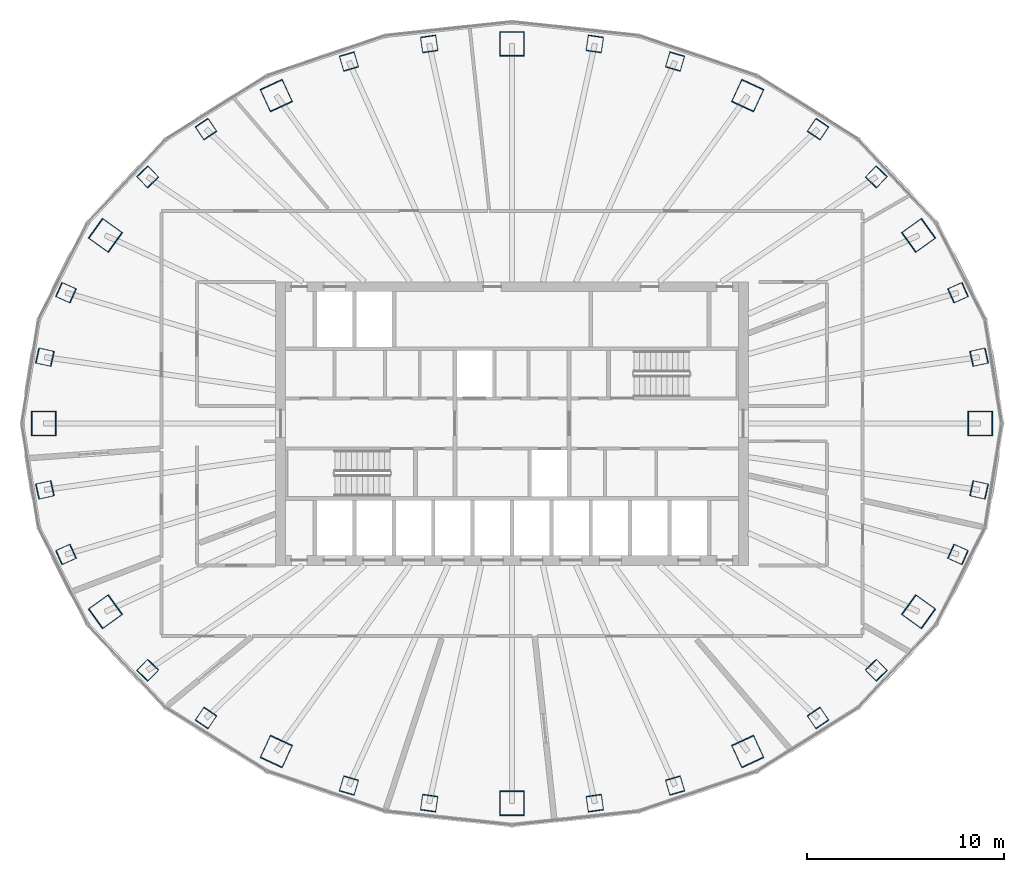
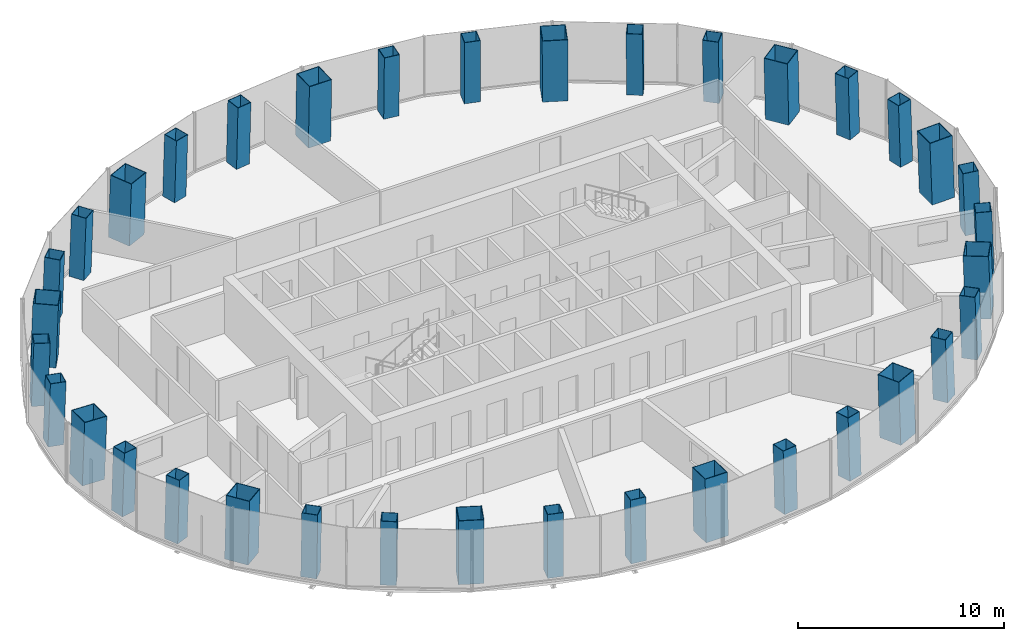
# One storey, part 1 of 12: 36 columns.
"""IFC4 building model written with IfcOpenShell, lengths in metres."""

from ifc_helpers import new_model, si_unit, direction, frame, origin, origin_2d, place, context, subcontext, project, spatial, hollow_rectangle, extrude, material, material_profile, profile_set, type_object, element, save


model = new_model("IFC4")

# Units and contexts
model_context = context("Model", 3, precision=1e-05, world=origin(), true_north=direction((0.0, 1.0)))
body_context = subcontext(model_context, "Body", "Model", "MODEL_VIEW")
ifc_project = project(units=[si_unit("LENGTHUNIT", "METRE"), si_unit("AREAUNIT", "SQUARE_METRE"), si_unit("VOLUMEUNIT", "CUBIC_METRE"), si_unit("PLANEANGLEUNIT", "RADIAN"), si_unit("MASSUNIT", "GRAM", prefix="KILO")], contexts=[model_context])

# Site, building, storey
site_placement = place(None, origin())
site = spatial("IfcSite", under=ifc_project, at=site_placement, CompositionType="ELEMENT")
building_placement = place(site_placement, origin())
building = spatial("IfcBuilding", under=site, at=building_placement, Name="Siaravel Broadcast Tower", CompositionType="ELEMENT")
storey_placement = place(building_placement, frame((0.0, 0.0, 134.10009765625)))
storey = spatial("IfcBuildingStorey", under=building, at=storey_placement, Name="L32", CompositionType="ELEMENT", Elevation=134.10009765625)

# Columns
ifc_material = material(Name="Concrete C60/75", Category="concrete")
ifc_material_profile_1 = material_profile(ifc_material, hollow_rectangle(XDim=1.25, YDim=1.25, WallThickness=0.031982421875, at=origin_2d()))
ifc_profile_set_1 = profile_set([ifc_material_profile_1], Name="Concrete C60/75")
column_type_1 = type_object("IfcColumnType", Name="COL-CFT BOX 1250x1250x32", PredefinedType="COLUMN", material=ifc_profile_set_1)
column_1_placement = place(storey_placement, frame((23.801025390625, 0.0, 0.0), z_axis=(-0.034621265, 0.0, 0.999400504), x_axis=(0.0, -1.0, 0.0)))
element("IfcColumn", 1, at=column_1_placement, inside=storey, type_object=column_type_1, Name="Megacolumn MC01", PredefinedType="COLUMN", context=body_context, shape_type="SweptSolid", body=[
    extrude(hollow_rectangle(XDim=1.25, YDim=1.25, WallThickness=0.031982421875, at=origin_2d()), origin(), (0.0, 0.0, 1.0), 3.7021484375),
])
column_2_placement = place(storey_placement, frame((20.665771484375, 9.564697265625, 0.0), z_axis=(-0.029940667, -0.01417895, 0.999451106), x_axis=(0.583207644, -0.812301344, 0.00594731)))
element("IfcColumn", 2, at=column_2_placement, inside=storey, type_object=column_type_1, Name="Megacolumn MC02", PredefinedType="COLUMN", context=body_context, shape_type="SweptSolid", body=[
    extrude(hollow_rectangle(XDim=1.25, YDim=1.25, WallThickness=0.031982421875, at=origin_2d()), origin(), (0.0, 0.0, 1.0), 3.701904296875),
])
column_3_placement = place(storey_placement, frame((11.980224609375, 16.669677734375, 0.0), z_axis=(-0.017280237, -0.024535299, 0.999549605), x_axis=(0.9080008, -0.418933446, 0.005414251)))
element("IfcColumn", 3, at=column_3_placement, inside=storey, type_object=column_type_1, Name="Megacolumn MC03", PredefinedType="COLUMN", context=body_context, shape_type="SweptSolid", body=[
    extrude(hollow_rectangle(XDim=1.25, YDim=1.25, WallThickness=0.031982421875, at=origin_2d()), origin(), (0.0, 0.0, 1.0), 3.70166015625),
])
column_4_placement = place(storey_placement, frame((0.0, 19.296630859375, 0.0), z_axis=(0.0, -0.028296154, 0.999599584), x_axis=(1.0, 0.0, 0.0)))
element("IfcColumn", 4, at=column_4_placement, inside=storey, type_object=column_type_1, Name="Megacolumn MC04", PredefinedType="COLUMN", context=body_context, shape_type="SweptSolid", body=[
    extrude(hollow_rectangle(XDim=1.25, YDim=1.25, WallThickness=0.031982421875, at=origin_2d()), origin(), (0.0, 0.0, 1.0), 3.701416015625),
])
column_5_placement = place(storey_placement, frame((-11.980224609375, 16.669677734375, 0.0), z_axis=(0.017280237, -0.024535299, 0.999549605), x_axis=(0.9080008, 0.418933446, -0.005414251)))
element("IfcColumn", 5, at=column_5_placement, inside=storey, type_object=column_type_1, Name="Megacolumn MC05", PredefinedType="COLUMN", context=body_context, shape_type="SweptSolid", body=[
    extrude(hollow_rectangle(XDim=1.25, YDim=1.25, WallThickness=0.031982421875, at=origin_2d()), origin(), (0.0, 0.0, 1.0), 3.70166015625),
])
column_6_placement = place(storey_placement, frame((-20.665771484375, 9.564697265625, 0.0), z_axis=(0.029940667, -0.01417895, 0.999451106), x_axis=(0.583207644, 0.812301344, -0.00594731)))
element("IfcColumn", 6, at=column_6_placement, inside=storey, type_object=column_type_1, Name="Megacolumn MC06", PredefinedType="COLUMN", context=body_context, shape_type="SweptSolid", body=[
    extrude(hollow_rectangle(XDim=1.25, YDim=1.25, WallThickness=0.031982421875, at=origin_2d()), origin(), (0.0, 0.0, 1.0), 3.701904296875),
])
column_7_placement = place(storey_placement, frame((-23.801025390625, 0.0, 0.0), z_axis=(0.034621265, 0.0, 0.999400504), x_axis=(0.0, 1.0, 0.0)))
element("IfcColumn", 7, at=column_7_placement, inside=storey, type_object=column_type_1, Name="Megacolumn MC07", PredefinedType="COLUMN", context=body_context, shape_type="SweptSolid", body=[
    extrude(hollow_rectangle(XDim=1.25, YDim=1.25, WallThickness=0.031982421875, at=origin_2d()), origin(), (0.0, 0.0, 1.0), 3.7021484375),
])
column_8_placement = place(storey_placement, frame((-20.665771484375, -9.564697265625, 0.0), z_axis=(0.029940667, 0.01417895, 0.999451106), x_axis=(-0.583207644, 0.812301344, 0.00594731)))
element("IfcColumn", 8, at=column_8_placement, inside=storey, type_object=column_type_1, Name="Megacolumn MC08", PredefinedType="COLUMN", context=body_context, shape_type="SweptSolid", body=[
    extrude(hollow_rectangle(XDim=1.25, YDim=1.25, WallThickness=0.031982421875, at=origin_2d()), origin(), (0.0, 0.0, 1.0), 3.701904296875),
])
column_9_placement = place(storey_placement, frame((-11.980224609375, -16.669677734375, 0.0), z_axis=(0.017280237, 0.024535299, 0.999549605), x_axis=(-0.9080008, 0.418933446, 0.005414251)))
element("IfcColumn", 9, at=column_9_placement, inside=storey, type_object=column_type_1, Name="Megacolumn MC09", PredefinedType="COLUMN", context=body_context, shape_type="SweptSolid", body=[
    extrude(hollow_rectangle(XDim=1.25, YDim=1.25, WallThickness=0.031982421875, at=origin_2d()), origin(), (0.0, 0.0, 1.0), 3.70166015625),
])
column_10_placement = place(storey_placement, frame((0.0, -19.296630859375, 0.0), z_axis=(0.0, 0.028296154, 0.999599584), x_axis=(-1.0, 0.0, 0.0)))
element("IfcColumn", 10, at=column_10_placement, inside=storey, type_object=column_type_1, Name="Megacolumn MC10", PredefinedType="COLUMN", context=body_context, shape_type="SweptSolid", body=[
    extrude(hollow_rectangle(XDim=1.25, YDim=1.25, WallThickness=0.031982421875, at=origin_2d()), origin(), (0.0, 0.0, 1.0), 3.701416015625),
])
column_11_placement = place(storey_placement, frame((11.980224609375, -16.669677734375, 0.0), z_axis=(-0.017280237, 0.024535299, 0.999549605), x_axis=(-0.9080008, -0.418933446, -0.005414251)))
element("IfcColumn", 11, at=column_11_placement, inside=storey, type_object=column_type_1, Name="Megacolumn MC11", PredefinedType="COLUMN", context=body_context, shape_type="SweptSolid", body=[
    extrude(hollow_rectangle(XDim=1.25, YDim=1.25, WallThickness=0.031982421875, at=origin_2d()), origin(), (0.0, 0.0, 1.0), 3.70166015625),
])
column_12_placement = place(storey_placement, frame((20.665771484375, -9.564697265625, 0.0), z_axis=(-0.029940667, 0.01417895, 0.999451106), x_axis=(-0.583207644, -0.812301344, -0.00594731)))
element("IfcColumn", 12, at=column_12_placement, inside=storey, type_object=column_type_1, Name="Megacolumn MC12", PredefinedType="COLUMN", context=body_context, shape_type="SweptSolid", body=[
    extrude(hollow_rectangle(XDim=1.25, YDim=1.25, WallThickness=0.031982421875, at=origin_2d()), origin(), (0.0, 0.0, 1.0), 3.701904296875),
])
ifc_material_profile_2 = material_profile(ifc_material, hollow_rectangle(XDim=0.800048828125, YDim=0.800048828125, WallThickness=0.02490234375, at=origin_2d()))
ifc_profile_set_2 = profile_set([ifc_material_profile_2], Name="Concrete C60/75")
column_type_2 = type_object("IfcColumnType", Name="COL-CFT BOX 800x800x25", PredefinedType="COLUMN", material=ifc_profile_set_2)
for number, where, z_axis, x_axis, name in (
    (13, (23.740478515625, 3.37353515625, 0.0), (-0.034028034, -0.004945935, 0.99940864), (0.213516889, -0.976936338, 0.002435136), "Perimeter column C01"),
    (14, (22.668212890625, 6.651123046875, 0.0), (-0.032511812, -0.009628245, 0.999424974), (0.408280547, -0.912845473, 0.004487421), "Perimeter column C02"),
):
    element("IfcColumn", number, at=place(storey_placement, frame(where, z_axis=z_axis, x_axis=x_axis)), inside=storey, type_object=column_type_2, Name=name, PredefinedType="COLUMN", context=body_context, shape_type="SweptSolid", body=[
        extrude(hollow_rectangle(XDim=0.800048828125, YDim=0.800048828125, WallThickness=0.02490234375, at=origin_2d()), origin(), (0.0, 0.0, 1.0), 3.7021484375),
    ])
column_13_placement = place(storey_placement, frame((18.516357421875, 12.538330078125, 0.0), z_axis=(-0.026512179, -0.018202391, 0.999482755), x_axis=(0.719971681, -0.693973382, 0.006459384)))
element("IfcColumn", 15, at=column_13_placement, inside=storey, type_object=column_type_2, Name="Perimeter column C03", PredefinedType="COLUMN", context=body_context, shape_type="SweptSolid", body=[
    extrude(hollow_rectangle(XDim=0.800048828125, YDim=0.800048828125, WallThickness=0.02490234375, at=origin_2d()), origin(), (0.0, 0.0, 1.0), 3.701904296875),
])
column_14_placement = place(storey_placement, frame((15.552978515625, 14.965576171875, 0.0), z_axis=(-0.022226124, -0.021764453, 0.999516037), x_axis=(0.828965275, -0.559265089, 0.006255613)))
element("IfcColumn", 16, at=column_14_placement, inside=storey, type_object=column_type_2, Name="Perimeter column C04", PredefinedType="COLUMN", context=body_context, shape_type="SweptSolid", body=[
    extrude(hollow_rectangle(XDim=0.800048828125, YDim=0.800048828125, WallThickness=0.02490234375, at=origin_2d()), origin(), (0.0, 0.0, 1.0), 3.70166015625),
])
for number, where, z_axis, x_axis, name in (
    (17, (8.2880859375, 18.39990234375, 0.0), (-0.011806287, -0.026580634, 0.999576951), (0.959776087, -0.280739879, 0.003870785), "Perimeter column C05"),
    (18, (4.209716796875, 19.294921875, 0.0), (-0.006002173, -0.027900212, 0.999592693), (0.990135242, -0.140100187, 0.002034967), "Perimeter column C06"),
    (19, (-4.209716796875, 19.294921875, 0.0), (0.006002173, -0.027900212, 0.999592693), (0.990135242, 0.140100187, -0.002034967), "Perimeter column C07"),
    (20, (-8.2880859375, 18.39990234375, 0.0), (0.011806287, -0.026580634, 0.999576951), (0.959776087, 0.280739879, -0.003870785), "Perimeter column C08"),
):
    element("IfcColumn", number, at=place(storey_placement, frame(where, z_axis=z_axis, x_axis=x_axis)), inside=storey, type_object=column_type_2, Name=name, PredefinedType="COLUMN", context=body_context, shape_type="SweptSolid", body=[
        extrude(hollow_rectangle(XDim=0.800048828125, YDim=0.800048828125, WallThickness=0.02490234375, at=origin_2d()), origin(), (0.0, 0.0, 1.0), 3.701416015625),
    ])
column_15_placement = place(storey_placement, frame((-15.552978515625, 14.965576171875, 0.0), z_axis=(0.022226124, -0.021764453, 0.999516037), x_axis=(0.828965275, 0.559265089, -0.006255613)))
element("IfcColumn", 21, at=column_15_placement, inside=storey, type_object=column_type_2, Name="Perimeter column C09", PredefinedType="COLUMN", context=body_context, shape_type="SweptSolid", body=[
    extrude(hollow_rectangle(XDim=0.800048828125, YDim=0.800048828125, WallThickness=0.02490234375, at=origin_2d()), origin(), (0.0, 0.0, 1.0), 3.70166015625),
])
column_16_placement = place(storey_placement, frame((-18.516357421875, 12.538330078125, 0.0), z_axis=(0.026512179, -0.018202391, 0.999482755), x_axis=(0.719971681, 0.693973382, -0.006459384)))
element("IfcColumn", 22, at=column_16_placement, inside=storey, type_object=column_type_2, Name="Perimeter column C10", PredefinedType="COLUMN", context=body_context, shape_type="SweptSolid", body=[
    extrude(hollow_rectangle(XDim=0.800048828125, YDim=0.800048828125, WallThickness=0.02490234375, at=origin_2d()), origin(), (0.0, 0.0, 1.0), 3.701904296875),
])
for number, where, z_axis, x_axis, name in (
    (23, (-22.668212890625, 6.651123046875, 0.0), (0.032511812, -0.009628245, 0.999424974), (0.408280547, 0.912845473, -0.004487421), "Perimeter column C11"),
    (24, (-23.740478515625, 3.37353515625, 0.0), (0.034028034, -0.004945935, 0.99940864), (0.213516889, 0.976936338, -0.002435136), "Perimeter column C12"),
    (25, (-23.740478515625, -3.37353515625, 0.0), (0.034028034, 0.004945935, 0.99940864), (-0.213516889, 0.976936338, 0.002435136), "Perimeter column C13"),
    (26, (-22.668212890625, -6.651123046875, 0.0), (0.032511812, 0.009628245, 0.999424974), (-0.408280547, 0.912845473, 0.004487421), "Perimeter column C14"),
):
    element("IfcColumn", number, at=place(storey_placement, frame(where, z_axis=z_axis, x_axis=x_axis)), inside=storey, type_object=column_type_2, Name=name, PredefinedType="COLUMN", context=body_context, shape_type="SweptSolid", body=[
        extrude(hollow_rectangle(XDim=0.800048828125, YDim=0.800048828125, WallThickness=0.02490234375, at=origin_2d()), origin(), (0.0, 0.0, 1.0), 3.7021484375),
    ])
column_17_placement = place(storey_placement, frame((-18.516357421875, -12.538330078125, 0.0), z_axis=(0.026512179, 0.018202391, 0.999482755), x_axis=(-0.719971681, 0.693973382, 0.006459384)))
element("IfcColumn", 27, at=column_17_placement, inside=storey, type_object=column_type_2, Name="Perimeter column C15", PredefinedType="COLUMN", context=body_context, shape_type="SweptSolid", body=[
    extrude(hollow_rectangle(XDim=0.800048828125, YDim=0.800048828125, WallThickness=0.02490234375, at=origin_2d()), origin(), (0.0, 0.0, 1.0), 3.701904296875),
])
column_18_placement = place(storey_placement, frame((-15.552978515625, -14.965576171875, 0.0), z_axis=(0.022226124, 0.021764453, 0.999516037), x_axis=(-0.828965275, 0.559265089, 0.006255613)))
element("IfcColumn", 28, at=column_18_placement, inside=storey, type_object=column_type_2, Name="Perimeter column C16", PredefinedType="COLUMN", context=body_context, shape_type="SweptSolid", body=[
    extrude(hollow_rectangle(XDim=0.800048828125, YDim=0.800048828125, WallThickness=0.02490234375, at=origin_2d()), origin(), (0.0, 0.0, 1.0), 3.70166015625),
])
for number, where, z_axis, x_axis, name in (
    (29, (-8.2880859375, -18.39990234375, 0.0), (0.011806287, 0.026580634, 0.999576951), (-0.959776087, 0.280739879, 0.003870785), "Perimeter column C17"),
    (30, (-4.209716796875, -19.294921875, 0.0), (0.006002173, 0.027900212, 0.999592693), (-0.990135242, 0.140100187, 0.002034967), "Perimeter column C18"),
    (31, (4.209716796875, -19.294921875, 0.0), (-0.006002173, 0.027900212, 0.999592693), (-0.990135242, -0.140100187, -0.002034967), "Perimeter column C19"),
    (32, (8.2880859375, -18.39990234375, 0.0), (-0.011806287, 0.026580634, 0.999576951), (-0.959776087, -0.280739879, -0.003870785), "Perimeter column C20"),
):
    element("IfcColumn", number, at=place(storey_placement, frame(where, z_axis=z_axis, x_axis=x_axis)), inside=storey, type_object=column_type_2, Name=name, PredefinedType="COLUMN", context=body_context, shape_type="SweptSolid", body=[
        extrude(hollow_rectangle(XDim=0.800048828125, YDim=0.800048828125, WallThickness=0.02490234375, at=origin_2d()), origin(), (0.0, 0.0, 1.0), 3.701416015625),
    ])
column_19_placement = place(storey_placement, frame((15.552978515625, -14.965576171875, 0.0), z_axis=(-0.022226124, 0.021764453, 0.999516037), x_axis=(-0.828965275, -0.559265089, -0.006255613)))
element("IfcColumn", 33, at=column_19_placement, inside=storey, type_object=column_type_2, Name="Perimeter column C21", PredefinedType="COLUMN", context=body_context, shape_type="SweptSolid", body=[
    extrude(hollow_rectangle(XDim=0.800048828125, YDim=0.800048828125, WallThickness=0.02490234375, at=origin_2d()), origin(), (0.0, 0.0, 1.0), 3.70166015625),
])
column_20_placement = place(storey_placement, frame((18.516357421875, -12.538330078125, 0.0), z_axis=(-0.026512179, 0.018202391, 0.999482755), x_axis=(-0.719971681, -0.693973382, -0.006459384)))
element("IfcColumn", 34, at=column_20_placement, inside=storey, type_object=column_type_2, Name="Perimeter column C22", PredefinedType="COLUMN", context=body_context, shape_type="SweptSolid", body=[
    extrude(hollow_rectangle(XDim=0.800048828125, YDim=0.800048828125, WallThickness=0.02490234375, at=origin_2d()), origin(), (0.0, 0.0, 1.0), 3.701904296875),
])
for number, where, z_axis, x_axis, name in (
    (35, (22.668212890625, -6.651123046875, 0.0), (-0.032511812, 0.009628245, 0.999424974), (-0.408280547, -0.912845473, -0.004487421), "Perimeter column C23"),
    (36, (23.740478515625, -3.37353515625, 0.0), (-0.034028034, 0.004945935, 0.99940864), (-0.213516889, -0.976936338, -0.002435136), "Perimeter column C24"),
):
    element("IfcColumn", number, at=place(storey_placement, frame(where, z_axis=z_axis, x_axis=x_axis)), inside=storey, type_object=column_type_2, Name=name, PredefinedType="COLUMN", context=body_context, shape_type="SweptSolid", body=[
        extrude(hollow_rectangle(XDim=0.800048828125, YDim=0.800048828125, WallThickness=0.02490234375, at=origin_2d()), origin(), (0.0, 0.0, 1.0), 3.7021484375),
    ])

save(model, "model.ifc")
